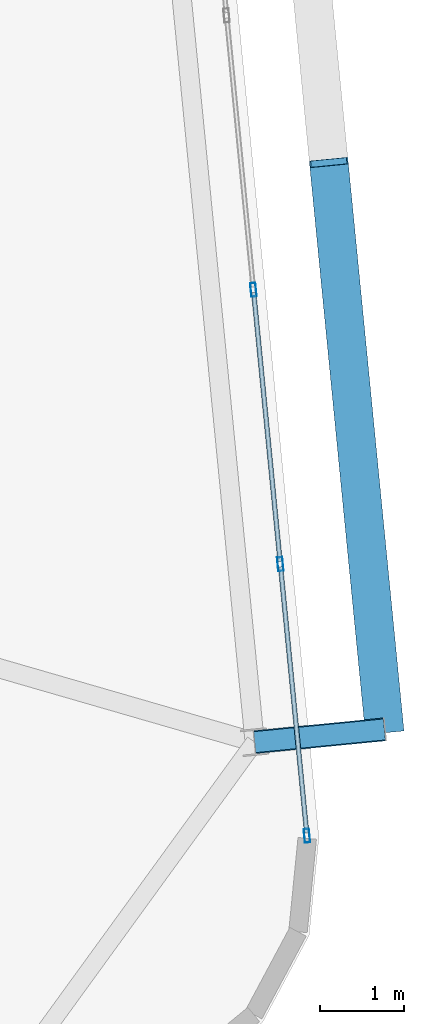
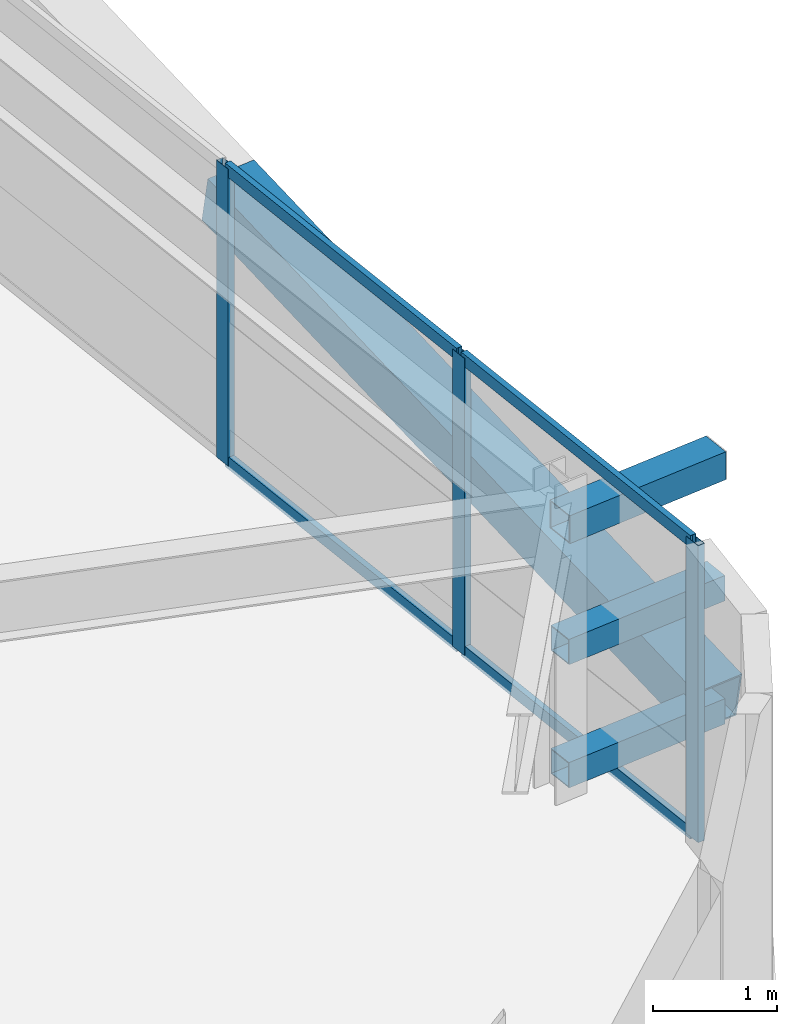
# One storey, part 22 of 54: 11 members, 1 element without a shape of its own.
"""IFC4 building model written with IfcOpenShell, lengths in metres."""

from ifc_helpers import new_model, si_unit, direction, frame, origin, origin_2d, place, context, subcontext, project, spatial, hollow_rectangle, extrude, source, transform, mapped, material, layer, layer_set, material_profile, profile_set, type_object, element, aggregate, save


model = new_model("IFC4")

# Units and contexts
model_context = context("Model", 3, precision=1e-05, world=origin(), true_north=direction((0.0, 1.0)))
body_context = subcontext(model_context, "Body", "Model", "MODEL_VIEW")
ifc_project = project(units=[si_unit("LENGTHUNIT", "METRE"), si_unit("AREAUNIT", "SQUARE_METRE"), si_unit("VOLUMEUNIT", "CUBIC_METRE"), si_unit("PLANEANGLEUNIT", "RADIAN"), si_unit("MASSUNIT", "GRAM", prefix="KILO")], contexts=[model_context])

# Site, building, storey
site_placement = place(None, origin())
site = spatial("IfcSite", under=ifc_project, at=site_placement, CompositionType="ELEMENT")
building_placement = place(site_placement, origin())
building = spatial("IfcBuilding", under=site, at=building_placement, Name="Taldren Reach Tower", CompositionType="ELEMENT")
storey_placement = place(building_placement, frame((0.0, 0.0, 99.75)))
storey = spatial("IfcBuildingStorey", under=building, at=storey_placement, Name="L30", CompositionType="ELEMENT", Elevation=99.75)

# Members
ifc_material_1 = material(Name="Steel Gr 450 (C450L0)", Category="steel")
ifc_material_profile_1 = material_profile(ifc_material_1, hollow_rectangle(XDim=0.27490234375, YDim=0.27490234375, WallThickness=0.00927734375, at=origin_2d()), Name="275x275x9.3SHS")
ifc_profile_set_1 = profile_set([ifc_material_profile_1], Name="Steel Gr 450 (C450L0)")
member_type_1 = type_object("IfcMemberType", Name="MB-TIE273", PredefinedType="STRUT", material=ifc_profile_set_1)
shared_shape_1 = source(origin(), body_context, "Body", "SweptSolid", [
    extrude(hollow_rectangle(XDim=0.27490234375, YDim=0.27490234375, WallThickness=0.00927734375, at=origin_2d()), origin(), (0.0, 0.0, 1.0), 1.550048828125),
])
member_1_placement = place(storey_placement, frame((65.8916015625, 8.483642578125, 2.64990234375), z_axis=(0.995236318924, 0.097491894511, 0.0), x_axis=(-0.097491894511, 0.995236318924, 0.0)))
element("IfcMember", 1, at=member_1_placement, inside=storey, type_object=member_type_1, Name="Exoskeleton diaphragm tie strut B2-E1 L30", PredefinedType="STRUT", context=body_context, shape_type="MappedRepresentation", body=[
    mapped(shared_shape_1, transform((0.0, 0.0, 0.0), scale=1.0)),
])
ifc_material_2 = material(Name="Steel Gr 350 (C350L0)", Category="steel")
ifc_material_profile_2 = material_profile(ifc_material_2, hollow_rectangle(XDim=0.25, YDim=0.25, WallThickness=0.010009765625, at=origin_2d()), Name="250x250x10.0SHS")
ifc_profile_set_2 = profile_set([ifc_material_profile_2], Name="Steel Gr 350 (C350L0)")
member_type_2 = type_object("IfcMemberType", Name="MB-POST250", PredefinedType="POST", material=ifc_profile_set_2)
shared_shape_2 = source(origin(), body_context, "Body", "SweptSolid", [
    extrude(hollow_rectangle(XDim=0.25, YDim=0.25, WallThickness=0.010009765625, at=origin_2d()), origin(), (0.0, 0.0, 1.0), 1.550048828125),
])
for number, where, z_axis, x_axis, name in (
    (2, (65.8916015625, 8.483642578125, 0.219970703125), (0.995236318924, 0.097491894511, 0.0), (-0.097491894511, 0.995236318924, 0.0), "Exoskeleton base diaphragm tie strut B2-E1 L30"),
    (3, (65.8916015625, 8.483642578125, 1.43505859375), (0.995236318924, 0.097491894511, 0.0), (-0.097491894511, 0.995236318924, 0.0), "Exoskeleton mid-tier diaphragm tie B2-E1 L30"),
):
    element("IfcMember", number, at=place(storey_placement, frame(where, z_axis=z_axis, x_axis=x_axis)), inside=storey, type_object=member_type_2, Name=name, PredefinedType="POST", context=body_context, shape_type="MappedRepresentation", body=[
        mapped(shared_shape_2, transform((0.0, 0.0, 0.0), scale=1.0)),
    ])
ifc_material_profile_3 = material_profile(ifc_material_1, hollow_rectangle(XDim=0.4599609375, YDim=0.4599609375, WallThickness=0.01611328125, at=origin_2d()), Name="460x460x16.0SHS")
ifc_profile_set_3 = profile_set([ifc_material_profile_3], Name="Steel Gr 450 (C450L0)")
member_type_3 = type_object("IfcMemberType", Name="MB-EXO457", PredefinedType="BRACE", material=ifc_profile_set_3)
shared_shape_3 = source(origin(), body_context, "Body", "SweptSolid", [
    extrude(hollow_rectangle(XDim=0.4599609375, YDim=0.4599609375, WallThickness=0.01611328125, at=origin_2d()), origin(), (0.0, 0.0, 1.0), 6.883056640625),
])
member_2_placement = place(storey_placement, frame((67.434326171875, 8.634765625, 0.219970703125), z_axis=(-0.09605145821, 0.97959718347, 0.176531797456), x_axis=(-0.995227290009, -0.097584021339, 0.0)))
element("IfcMember", 4, at=member_2_placement, inside=storey, type_object=member_type_3, Name="Exoskeleton Diagrid Brace B2-E1 L30", PredefinedType="BRACE", context=body_context, shape_type="MappedRepresentation", body=[
    mapped(shared_shape_3, transform((0.0, 0.0, 0.0), scale=1.0)),
])

# Curtain wall, members
ifc_material_3 = material(Name="Aluminium and Low-E Glass Unitised System", Category="aluminium")
ifc_layer = layer(ifc_material_3, 0.159912109375)
ifc_layer_set = layer_set([ifc_layer], Name="Aluminium and Low-E Glass Unitised System")
curtain_wall_type = type_object("IfcCurtainWallType", Name="CW-SYS-3", PredefinedType="NOTDEFINED", material=ifc_layer_set)
curtain_wall_placement = place(storey_placement, origin())
curtain_wall = element("IfcCurtainWall", 5, at=curtain_wall_placement, inside=storey, type_object=curtain_wall_type, Name="Unitised curtain wall CW-L30-E", PredefinedType="NOTDEFINED")
ifc_material_4 = material(Name="Anodised Aluminium 6063-T6", Category="aluminium")
ifc_material_profile_4 = material_profile(ifc_material_4, hollow_rectangle(XDim=0.06494140625, YDim=0.1650390625, WallThickness=0.00390625, at=origin_2d()), Name="ALU-165x65x4RHS")
ifc_profile_set_4 = profile_set([ifc_material_profile_4], Name="Anodised Aluminium 6063-T6")
member_type_4 = type_object("IfcMemberType", Name="CW-MUL-165", PredefinedType="MULLION", material=ifc_profile_set_4)
shared_shape_4 = source(origin(), body_context, "Body", "SweptSolid", [
    extrude(hollow_rectangle(XDim=0.06494140625, YDim=0.1650390625, WallThickness=0.00390625, at=origin_2d()), origin(), (0.0, 0.0, 1.0), 2.929931640625),
])
member_3_placement = place(storey_placement, frame((66.51318359375, 7.371337890625, 0.0), z_axis=(0.0, 0.0, 1.0), x_axis=(-0.99522741555, -0.09758274098, 0.0)))
member_3 = element("IfcMember", 6, at=member_3_placement, type_object=member_type_4, Name="CW-3 mullion 1", PredefinedType="MULLION", context=body_context, shape_type="MappedRepresentation", body=[
    mapped(shared_shape_4, transform((0.0, 0.0, 0.0), scale=1.0)),
])
member_4_placement = place(storey_placement, frame((66.196533203125, 10.60107421875, 0.0), z_axis=(0.0, 0.0, 1.0), x_axis=(-0.99522741555, -0.09758274098, 0.0)))
member_4 = element("IfcMember", 7, at=member_4_placement, type_object=member_type_4, Name="CW-3 mullion 2", PredefinedType="MULLION", context=body_context, shape_type="MappedRepresentation", body=[
    mapped(shared_shape_4, transform((0.0, 0.0, 0.0), scale=1.0)),
])
member_5_placement = place(storey_placement, frame((65.876708984375, 13.86328125, 0.0), z_axis=(0.0, 0.0, 1.0), x_axis=(-0.99522741555, -0.09758274098, 0.0)))
member_5 = element("IfcMember", 8, at=member_5_placement, type_object=member_type_4, Name="CW-3 mullion 3", PredefinedType="MULLION", context=body_context, shape_type="MappedRepresentation", body=[
    mapped(shared_shape_4, transform((0.0, 0.0, 0.0), scale=1.0)),
])
ifc_material_profile_5 = material_profile(ifc_material_4, hollow_rectangle(XDim=0.054931640625, YDim=0.1201171875, WallThickness=0.0029296875, at=origin_2d()), Name="ALU-120x55x3RHS")
ifc_profile_set_5 = profile_set([ifc_material_profile_5], Name="Anodised Aluminium 6063-T6")
member_type_5 = type_object("IfcMemberType", Name="CW-TRN-135", PredefinedType="USERDEFINED", material=ifc_profile_set_5)
shared_shape_5 = source(origin(), body_context, "Body", "SweptSolid", [
    extrude(hollow_rectangle(XDim=0.054931640625, YDim=0.1201171875, WallThickness=0.0029296875, at=origin_2d()), origin(), (0.0, 0.0, 1.0), 3.18017578125),
])
member_6_placement = place(storey_placement, frame((66.510009765625, 7.40380859375, 0.027587890625), z_axis=(-0.097572914968, 0.995228378949, 0.0), x_axis=(-0.995228378949, -0.097572914968, 0.0)))
member_6 = element("IfcMember", 9, at=member_6_placement, type_object=member_type_5, Name="CW-3 transom 1.1", ObjectType="TRANSOM", PredefinedType="USERDEFINED", context=body_context, shape_type="MappedRepresentation", body=[
    mapped(shared_shape_5, transform((0.0, 0.0, 0.0), scale=1.0)),
])
member_7_placement = place(storey_placement, frame((66.510009765625, 7.40380859375, 2.902587890625), z_axis=(-0.097572914968, 0.995228378949, 0.0), x_axis=(-0.995228378949, -0.097572914968, 0.0)))
member_7 = element("IfcMember", 10, at=member_7_placement, type_object=member_type_5, Name="CW-3 transom 1.2", ObjectType="TRANSOM", PredefinedType="USERDEFINED", context=body_context, shape_type="MappedRepresentation", body=[
    mapped(shared_shape_5, transform((0.0, 0.0, 0.0), scale=1.0)),
])
shared_shape_6 = source(origin(), body_context, "Body", "SweptSolid", [
    extrude(hollow_rectangle(XDim=0.054931640625, YDim=0.1201171875, WallThickness=0.0029296875, at=origin_2d()), origin(), (0.0, 0.0, 1.0), 3.212890625),
])
member_8_placement = place(storey_placement, frame((66.193359375, 10.633544921875, 0.027587890625), z_axis=(-0.097569948235, 0.995228669805, 0.0), x_axis=(-0.995228669805, -0.097569948235, 0.0)))
member_8 = element("IfcMember", 11, at=member_8_placement, type_object=member_type_5, Name="CW-3 transom 2.1", ObjectType="TRANSOM", PredefinedType="USERDEFINED", context=body_context, shape_type="MappedRepresentation", body=[
    mapped(shared_shape_6, transform((0.0, 0.0, 0.0), scale=1.0)),
])
member_9_placement = place(storey_placement, frame((66.193359375, 10.633544921875, 2.902587890625), z_axis=(-0.097569948235, 0.995228669805, 0.0), x_axis=(-0.995228669805, -0.097569948235, 0.0)))
member_9 = element("IfcMember", 12, at=member_9_placement, type_object=member_type_5, Name="CW-3 transom 2.2", ObjectType="TRANSOM", PredefinedType="USERDEFINED", context=body_context, shape_type="MappedRepresentation", body=[
    mapped(shared_shape_6, transform((0.0, 0.0, 0.0), scale=1.0)),
])
aggregate(curtain_wall, [member_3, member_4, member_5, member_6, member_7, member_8, member_9])

save(model, "model.ifc")
